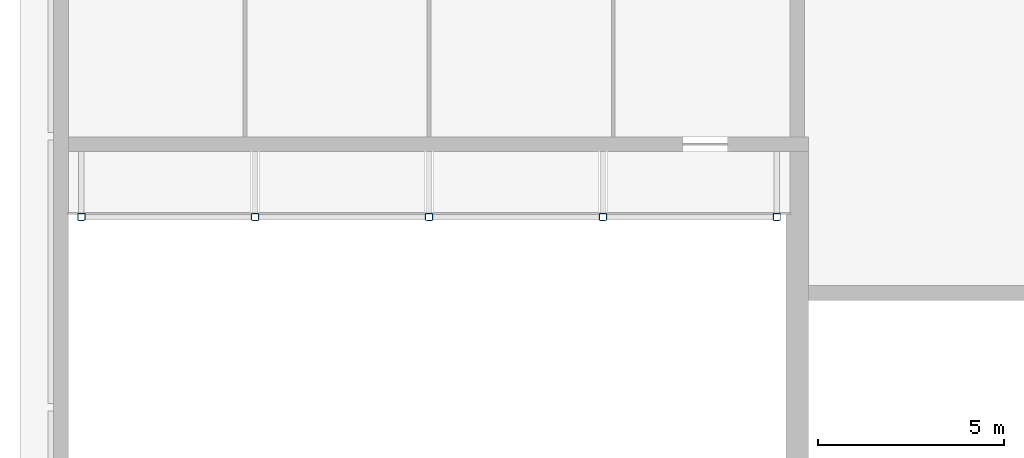
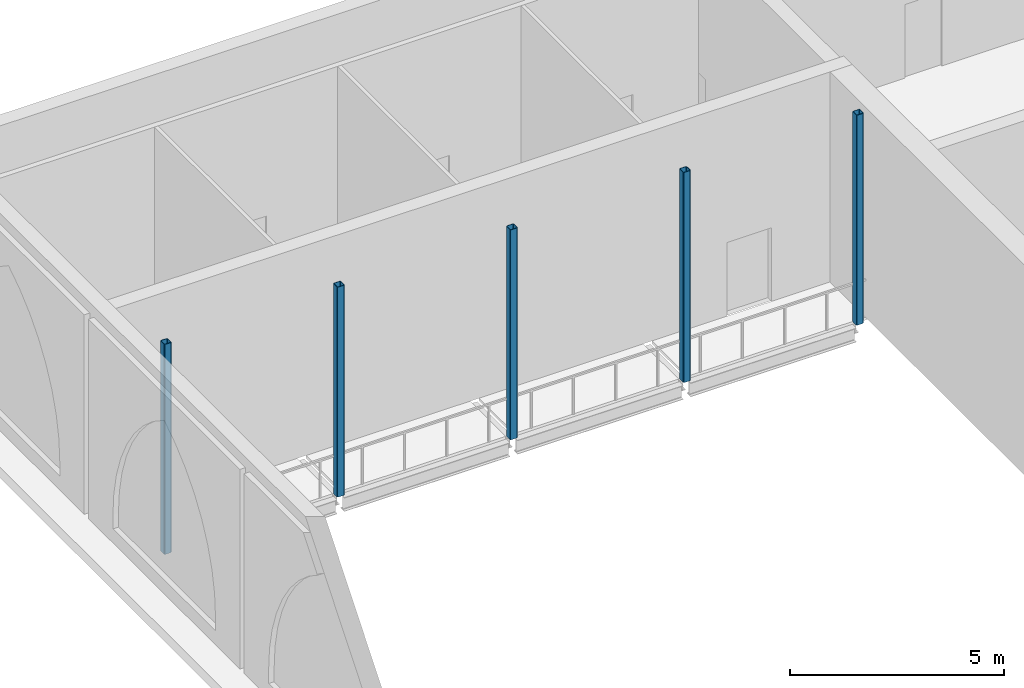
# One storey, part 3 of 74: 5 columns.
"""IFC4 building model written with IfcOpenShell, lengths in metres."""

from ifc_helpers import new_model, si_unit, direction, frame, origin, origin_2d, place, context, subcontext, project, spatial, hollow_rectangle, extrude, material, material_profile, profile_set, type_object, element, save


model = new_model("IFC4")

# Units and contexts
model_context = context("Model", 3, precision=1e-05, world=origin(), true_north=direction((0.0, 1.0)))
body_context = subcontext(model_context, "Body", "Model", "MODEL_VIEW")
ifc_project = project(units=[si_unit("LENGTHUNIT", "METRE"), si_unit("AREAUNIT", "SQUARE_METRE"), si_unit("VOLUMEUNIT", "CUBIC_METRE"), si_unit("PLANEANGLEUNIT", "RADIAN"), si_unit("MASSUNIT", "GRAM", prefix="KILO")], contexts=[model_context])

# Site, building, storey
site_placement = place(None, origin())
site = spatial("IfcSite", under=ifc_project, at=site_placement, CompositionType="ELEMENT")
building_placement = place(site_placement, origin())
building = spatial("IfcBuilding", under=site, at=building_placement, Name="Noorbagh Ring Tower", CompositionType="ELEMENT")
storey_placement = place(building_placement, frame((0.0, 0.0, 7.5)))
storey = spatial("IfcBuildingStorey", under=building, at=storey_placement, Name="L01", CompositionType="ELEMENT", Elevation=7.5)

# Columns
ifc_material = material(Name="Steel S355", Category="steel")
ifc_material_profile = material_profile(ifc_material, hollow_rectangle(XDim=0.199951171875, YDim=0.199951171875, WallThickness=0.012451171875, InnerFilletRadius=0.012451171875, OuterFilletRadius=0.03125, at=origin_2d()), Name="SHS200x200x12.5")
ifc_profile_set = profile_set([ifc_material_profile], Name="Steel S355")
column_type = type_object("IfcColumnType", Name="TH-COL-POST", PredefinedType="COLUMN", material=ifc_profile_set)
for number, where, z_axis, x_axis, name in (
    (1, (-159.25, 21.050048828125, 0.0), (0.0, 0.0, 1.0), (1.0, 0.0, 0.0), "L01/th-col/gal-N0"),
    (2, (-154.574951171875, 21.050048828125, 0.0), (0.0, 0.0, 1.0), (1.0, 0.0, 0.0), "L01/th-col/gal-N1"),
    (3, (-149.89990234375, 21.050048828125, 0.0), (0.0, 0.0, 1.0), (1.0, 0.0, 0.0), "L01/th-col/gal-N2"),
    (4, (-145.22509765625, 21.050048828125, 0.0), (0.0, 0.0, 1.0), (1.0, 0.0, 0.0), "L01/th-col/gal-N3"),
    (5, (-140.550048828125, 21.050048828125, 0.0), (0.0, 0.0, 1.0), (1.0, 0.0, 0.0), "L01/th-col/gal-N4"),
):
    element("IfcColumn", number, at=place(storey_placement, frame(where, z_axis=z_axis, x_axis=x_axis)), inside=storey, type_object=column_type, Name=name, PredefinedType="COLUMN", context=body_context, shape_type="SweptSolid", body=[
        extrude(hollow_rectangle(XDim=0.199951171875, YDim=0.199951171875, WallThickness=0.012451171875, InnerFilletRadius=0.012451171875, OuterFilletRadius=0.03125, at=origin_2d()), origin(), (0.0, 0.0, 1.0), 6.0),
    ])

save(model, "model.ifc")
